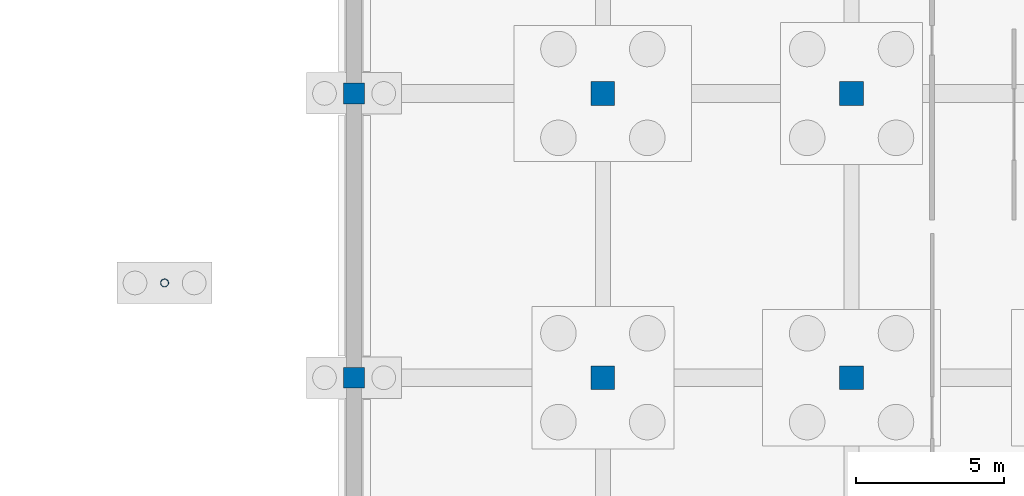
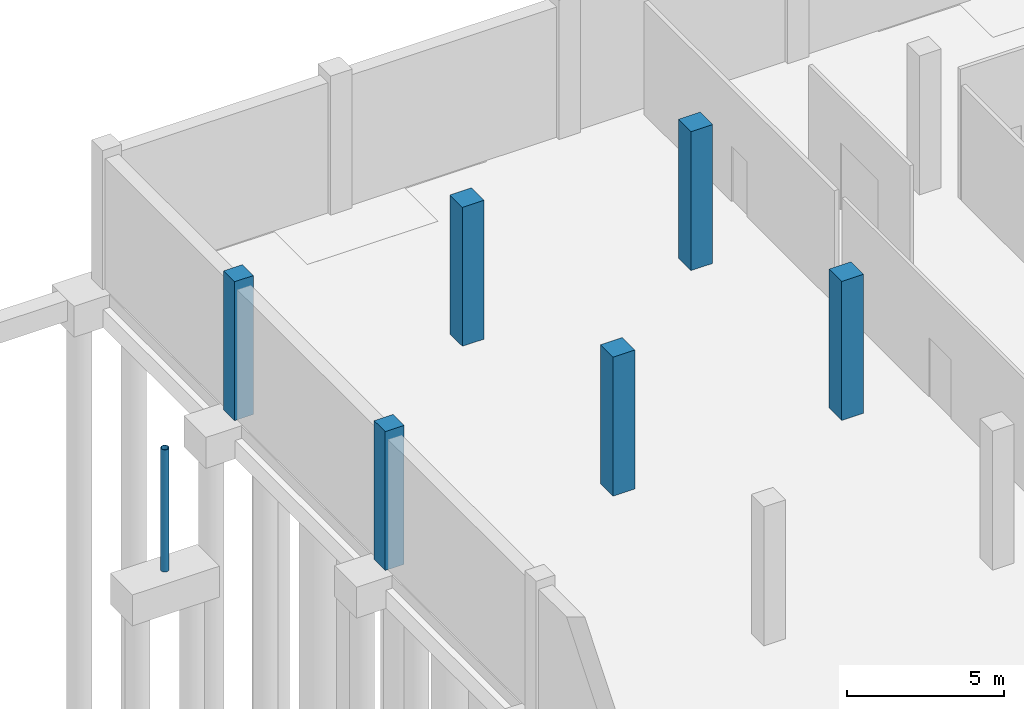
# One storey, part 20 of 41: 7 columns.
"""IFC4 building model written with IfcOpenShell, lengths in metres."""

from ifc_helpers import new_model, si_unit, direction, frame, origin, origin_2d, place, context, subcontext, project, spatial, rectangle, hollow_circle, extrude, material, material_profile, profile_set, type_object, element, save


model = new_model("IFC4")

# Units and contexts
model_context = context("Model", 3, precision=1e-05, world=origin(), true_north=direction((0.0, 1.0)))
body_context = subcontext(model_context, "Body", "Model", "MODEL_VIEW")
ifc_project = project(units=[si_unit("LENGTHUNIT", "METRE"), si_unit("AREAUNIT", "SQUARE_METRE"), si_unit("VOLUMEUNIT", "CUBIC_METRE"), si_unit("PLANEANGLEUNIT", "RADIAN"), si_unit("MASSUNIT", "GRAM", prefix="KILO")], contexts=[model_context])

# Site, building, storey
site_placement = place(None, origin())
site = spatial("IfcSite", under=ifc_project, at=site_placement, CompositionType="ELEMENT")
building_placement = place(site_placement, origin())
building = spatial("IfcBuilding", under=site, at=building_placement, Name="Shalvenor Court Art Gallery", CompositionType="ELEMENT")
storey_placement = place(building_placement, frame((0.0, 0.0, -5.39990234375)))
storey = spatial("IfcBuildingStorey", under=building, at=storey_placement, Name="B01", CompositionType="ELEMENT", Elevation=-5.39990234375)

# Columns
ifc_material_1 = material(Name="Concrete C40/50", Category="concrete")
ifc_material_profile_1 = material_profile(ifc_material_1, rectangle(XDim=0.800048828125, YDim=0.800048828125, at=origin_2d()), Name="RC 800x800")
ifc_profile_set_1 = profile_set([ifc_material_profile_1], Name="Concrete C40/50")
column_type_1 = type_object("IfcColumnType", Name="C-01", PredefinedType="COLUMN", material=ifc_profile_set_1)
for number, where, z_axis, x_axis, name in (
    (1, (142.800048828125, 79.199951171875, 0.0), (0.0, 0.0, 1.0), (1.0, 0.0, 0.0), "B01 Column COL-B01-C-01-0575"),
    (2, (142.800048828125, 88.800048828125, 0.0), (0.0, 0.0, 1.0), (1.0, 0.0, 0.0), "B01 Column COL-B01-C-01-0581"),
    (3, (151.199951171875, 79.199951171875, 0.0), (0.0, 0.0, 1.0), (1.0, 0.0, 0.0), "B01 Column COL-B01-C-01-0617"),
    (4, (151.199951171875, 88.800048828125, 0.0), (0.0, 0.0, 1.0), (1.0, 0.0, 0.0), "B01 Column COL-B01-C-01-0623"),
):
    element("IfcColumn", number, at=place(storey_placement, frame(where, z_axis=z_axis, x_axis=x_axis)), inside=storey, type_object=column_type_1, Name=name, PredefinedType="COLUMN", context=body_context, shape_type="SweptSolid", body=[
        extrude(rectangle(XDim=0.800048828125, YDim=0.800048828125, at=origin_2d()), origin(), (0.0, 0.0, 1.0), 5.39990234375),
    ])
ifc_material_2 = material(Name="Concrete C40/50", Category="concrete")
ifc_material_profile_2 = material_profile(ifc_material_2, rectangle(XDim=0.699951171875, YDim=0.699951171875, at=origin_2d()), Name="RC 700x700")
ifc_profile_set_2 = profile_set([ifc_material_profile_2], Name="Concrete C40/50")
column_type_2 = type_object("IfcColumnType", Name="C-02E", PredefinedType="COLUMN", material=ifc_profile_set_2)
for number, where, z_axis, x_axis, name in (
    (5, (134.39990234375, 79.199951171875, 0.0), (0.0, 0.0, 1.0), (1.0, 0.0, 0.0), "B01 Column COL-B01-C-02E-0545"),
    (6, (134.39990234375, 88.800048828125, 0.0), (0.0, 0.0, 1.0), (1.0, 0.0, 0.0), "B01 Column COL-B01-C-02E-0547"),
):
    element("IfcColumn", number, at=place(storey_placement, frame(where, z_axis=z_axis, x_axis=x_axis)), inside=storey, type_object=column_type_2, Name=name, PredefinedType="COLUMN", context=body_context, shape_type="SweptSolid", body=[
        extrude(rectangle(XDim=0.699951171875, YDim=0.699951171875, at=origin_2d()), origin(), (0.0, 0.0, 1.0), 5.39990234375),
    ])
ifc_material_3 = material(Name="Steel S355", Category="steel")
ifc_material_profile_3 = material_profile(ifc_material_3, hollow_circle(Radius=0.136474609375, WallThickness=0.012451171875, at=origin_2d()), Name="CHS 273.0x12.5")
ifc_profile_set_3 = profile_set([ifc_material_profile_3], Name="Steel S355")
column_type_3 = type_object("IfcColumnType", Name="C-11", PredefinedType="COLUMN", material=ifc_profile_set_3)
column_placement = place(storey_placement, frame((128.0, 82.39990234375, 0.0), z_axis=(0.0, 0.0, 1.0), x_axis=(1.0, 0.0, 0.0)))
element("IfcColumn", 7, at=column_placement, inside=storey, type_object=column_type_3, Name="B01 Terrace Stair Support Column COL-TST-B01-C-11-0790", PredefinedType="COLUMN", context=body_context, shape_type="SweptSolid", body=[
    extrude(hollow_circle(Radius=0.136474609375, WallThickness=0.012451171875, at=origin_2d()), origin(), (0.0, 0.0, 1.0), 4.75),
])

save(model, "model.ifc")
